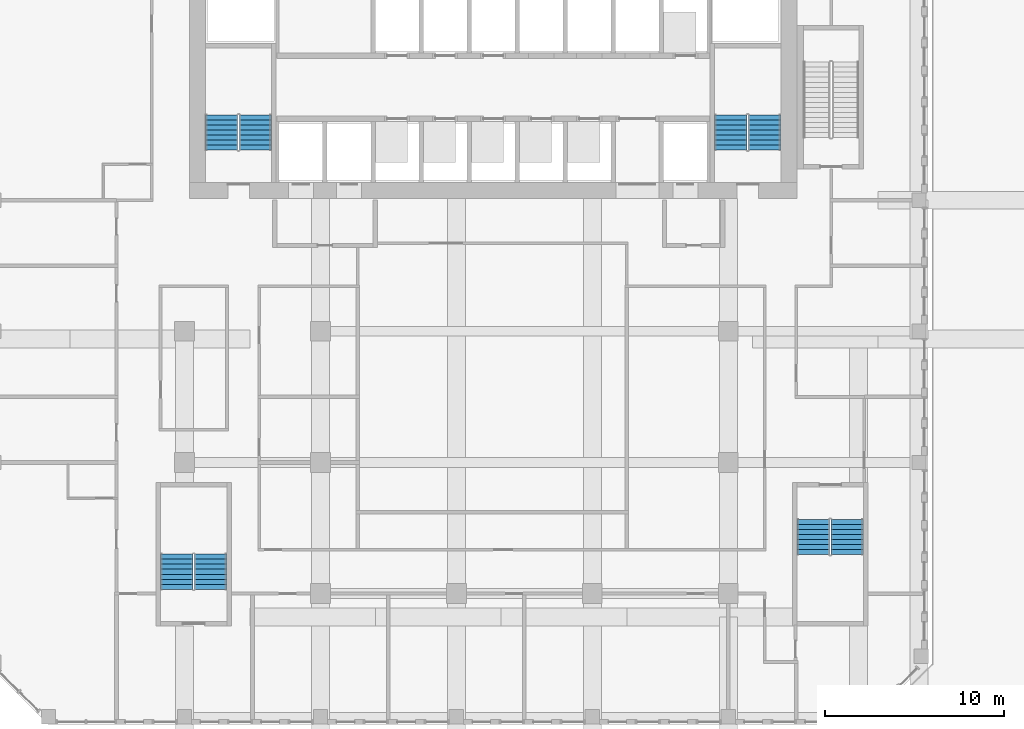
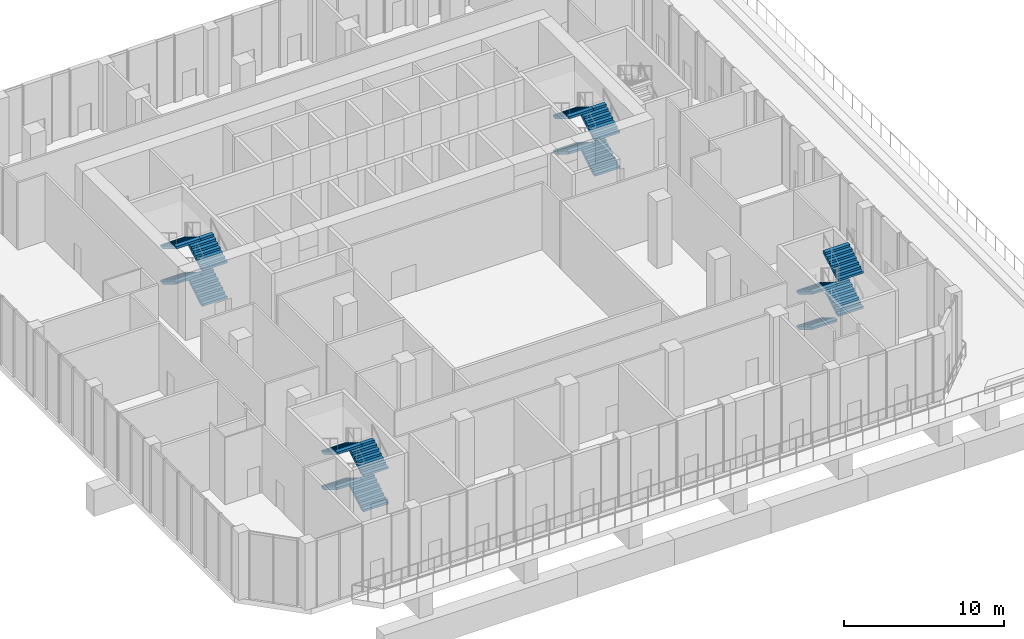
# One storey, part 16 of 19: 16 stair flights, 4 elements without a shape of their own.
"""IFC4 building model written with IfcOpenShell, lengths in metres."""

from ifc_helpers import new_model, si_unit, direction, frame, origin, place, context, subcontext, project, spatial, triangles, source, transform, mapped, material, type_object, element, aggregate, save


model = new_model("IFC4")

# Units and contexts
model_context = context("Model", 3, precision=1e-05, world=origin(), true_north=direction((0.0, 1.0)))
body_context = subcontext(model_context, "Body", "Model", "MODEL_VIEW")
ifc_project = project(units=[si_unit("LENGTHUNIT", "METRE"), si_unit("AREAUNIT", "SQUARE_METRE"), si_unit("VOLUMEUNIT", "CUBIC_METRE"), si_unit("PLANEANGLEUNIT", "RADIAN"), si_unit("MASSUNIT", "GRAM", prefix="KILO")], contexts=[model_context])

# Site, building, storey
site_placement = place(None, origin())
site = spatial("IfcSite", under=ifc_project, at=site_placement, CompositionType="ELEMENT")
building_placement = place(site_placement, origin())
building = spatial("IfcBuilding", under=site, at=building_placement, Name="Kilnfold Tower and Market Hall", CompositionType="ELEMENT")
storey_placement = place(building_placement, frame((0.0, 0.0, 138.5)))
storey = spatial("IfcBuildingStorey", under=building, at=storey_placement, Name="L31", CompositionType="ELEMENT", Elevation=138.5)

# Stair, stair flights
ifc_material_1 = material(Name="Concrete C40/50", Category="concrete")
stair_type = type_object("IfcStairType", Name="CORE STAIR 1800", PredefinedType="HALF_TURN_STAIR", material=ifc_material_1)
stair_1_placement = place(storey_placement, origin())
stair_1 = element("IfcStair", 1, at=stair_1_placement, inside=storey, type_object=stair_type, Name="L31 ST1", PredefinedType="HALF_TURN_STAIR")
ifc_material_2 = material(Name="Concrete C40/50", Category="concrete")
stair_flight_type = type_object("IfcStairFlightType", Name="CORE STAIR FLIGHT 1800", PredefinedType="STRAIGHT", material=ifc_material_2)
shared_shape = source(origin(), body_context, "Body", "Tessellation", [
    triangles([(0.0, 0.89990234375, 0.0), (0.0, 0.78759765625, 0.0), (0.0, 0.675048828125, 0.0), (0.0, 0.5625, 0.0), (0.0, 0.449951171875, 0.0), (0.0, 0.33740234375, 0.0), (0.0, 0.22509765625, 0.0), (0.0, 0.112548828125, 0.0), (0.0, 0.0, 0.0), (0.0, -0.112548828125, 0.0), (0.0, -0.22509765625, 0.0), (0.0, -0.33740234375, 0.0), (0.0, -0.449951171875, 0.0), (0.0, -0.5625, 0.0), (0.0, -0.675048828125, 0.0), (0.0, -0.78759765625, 0.0), (0.0, -0.89990234375, 0.0), (0.0, 0.89990234375, 0.168701171875), (0.0, 0.78759765625, 0.168701171875), (0.0, 0.675048828125, 0.168701171875), (0.0, 0.5625, 0.168701171875), (0.0, 0.449951171875, 0.168701171875), (0.0, 0.33740234375, 0.168701171875), (0.0, 0.22509765625, 0.168701171875), (0.0, 0.112548828125, 0.168701171875), (0.0, 0.0, 0.168701171875), (0.0, -0.112548828125, 0.168701171875), (0.0, -0.22509765625, 0.168701171875), (0.0, -0.33740234375, 0.168701171875), (0.0, -0.449951171875, 0.168701171875), (0.0, -0.5625, 0.168701171875), (0.0, -0.675048828125, 0.168701171875), (0.0, -0.78759765625, 0.168701171875), (0.0, -0.89990234375, 0.168701171875), (0.280029296875, 0.89990234375, 0.168701171875), (0.280029296875, 0.78759765625, 0.168701171875), (0.280029296875, 0.675048828125, 0.168701171875), (0.280029296875, 0.5625, 0.168701171875), (0.280029296875, 0.449951171875, 0.168701171875), (0.280029296875, 0.33740234375, 0.168701171875), (0.280029296875, 0.22509765625, 0.168701171875), (0.280029296875, 0.112548828125, 0.168701171875), (0.280029296875, 0.0, 0.168701171875), (0.280029296875, -0.112548828125, 0.168701171875), (0.280029296875, -0.22509765625, 0.168701171875), (0.280029296875, -0.33740234375, 0.168701171875), (0.280029296875, -0.449951171875, 0.168701171875), (0.280029296875, -0.5625, 0.168701171875), (0.280029296875, -0.675048828125, 0.168701171875), (0.280029296875, -0.78759765625, 0.168701171875), (0.280029296875, -0.89990234375, 0.168701171875), (0.280029296875, 0.89990234375, 0.33740234375), (0.280029296875, 0.78759765625, 0.33740234375), (0.280029296875, 0.675048828125, 0.33740234375), (0.280029296875, 0.5625, 0.33740234375), (0.280029296875, 0.449951171875, 0.33740234375), (0.280029296875, 0.33740234375, 0.33740234375), (0.280029296875, 0.22509765625, 0.33740234375), (0.280029296875, 0.112548828125, 0.33740234375), (0.280029296875, 0.0, 0.33740234375), (0.280029296875, -0.112548828125, 0.33740234375), (0.280029296875, -0.22509765625, 0.33740234375), (0.280029296875, -0.33740234375, 0.33740234375), (0.280029296875, -0.449951171875, 0.33740234375), (0.280029296875, -0.5625, 0.33740234375), (0.280029296875, -0.675048828125, 0.33740234375), (0.280029296875, -0.78759765625, 0.33740234375), (0.280029296875, -0.89990234375, 0.33740234375), (0.56005859375, 0.89990234375, 0.33740234375), (0.56005859375, 0.78759765625, 0.33740234375), (0.56005859375, 0.675048828125, 0.33740234375), (0.56005859375, 0.5625, 0.33740234375), (0.56005859375, 0.449951171875, 0.33740234375), (0.56005859375, 0.33740234375, 0.33740234375), (0.56005859375, 0.22509765625, 0.33740234375), (0.56005859375, 0.112548828125, 0.33740234375), (0.56005859375, 0.0, 0.33740234375), (0.56005859375, -0.112548828125, 0.33740234375), (0.56005859375, -0.22509765625, 0.33740234375), (0.56005859375, -0.33740234375, 0.33740234375), (0.56005859375, -0.449951171875, 0.33740234375), (0.56005859375, -0.5625, 0.33740234375), (0.56005859375, -0.675048828125, 0.33740234375), (0.56005859375, -0.78759765625, 0.33740234375), (0.56005859375, -0.89990234375, 0.33740234375), (0.56005859375, 0.89990234375, 0.50634765625), (0.56005859375, 0.78759765625, 0.50634765625), (0.56005859375, 0.675048828125, 0.50634765625), (0.56005859375, 0.5625, 0.50634765625), (0.56005859375, 0.449951171875, 0.50634765625), (0.56005859375, 0.33740234375, 0.50634765625), (0.56005859375, 0.22509765625, 0.50634765625), (0.56005859375, 0.112548828125, 0.50634765625), (0.56005859375, 0.0, 0.50634765625), (0.56005859375, -0.112548828125, 0.50634765625), (0.56005859375, -0.22509765625, 0.50634765625), (0.56005859375, -0.33740234375, 0.50634765625), (0.56005859375, -0.449951171875, 0.50634765625), (0.56005859375, -0.5625, 0.50634765625), (0.56005859375, -0.675048828125, 0.50634765625), (0.56005859375, -0.78759765625, 0.50634765625), (0.56005859375, -0.89990234375, 0.50634765625), (0.840087890625, 0.89990234375, 0.50634765625), (0.840087890625, 0.78759765625, 0.50634765625), (0.840087890625, 0.675048828125, 0.50634765625), (0.840087890625, 0.5625, 0.50634765625), (0.840087890625, 0.449951171875, 0.50634765625), (0.840087890625, 0.33740234375, 0.50634765625), (0.840087890625, 0.22509765625, 0.50634765625), (0.840087890625, 0.112548828125, 0.50634765625), (0.840087890625, 0.0, 0.50634765625), (0.840087890625, -0.112548828125, 0.50634765625), (0.840087890625, -0.22509765625, 0.50634765625), (0.840087890625, -0.33740234375, 0.50634765625), (0.840087890625, -0.449951171875, 0.50634765625), (0.840087890625, -0.5625, 0.50634765625), (0.840087890625, -0.675048828125, 0.50634765625), (0.840087890625, -0.78759765625, 0.50634765625), (0.840087890625, -0.89990234375, 0.50634765625), (0.840087890625, 0.89990234375, 0.675048828125), (0.840087890625, 0.78759765625, 0.675048828125), (0.840087890625, 0.675048828125, 0.675048828125), (0.840087890625, 0.5625, 0.675048828125), (0.840087890625, 0.449951171875, 0.675048828125), (0.840087890625, 0.33740234375, 0.675048828125), (0.840087890625, 0.22509765625, 0.675048828125), (0.840087890625, 0.112548828125, 0.675048828125), (0.840087890625, 0.0, 0.675048828125), (0.840087890625, -0.112548828125, 0.675048828125), (0.840087890625, -0.22509765625, 0.675048828125), (0.840087890625, -0.33740234375, 0.675048828125), (0.840087890625, -0.449951171875, 0.675048828125), (0.840087890625, -0.5625, 0.675048828125), (0.840087890625, -0.675048828125, 0.675048828125), (0.840087890625, -0.78759765625, 0.675048828125), (0.840087890625, -0.89990234375, 0.675048828125), (1.1201171875, 0.89990234375, 0.675048828125), (1.1201171875, 0.78759765625, 0.675048828125), (1.1201171875, 0.675048828125, 0.675048828125), (1.1201171875, 0.5625, 0.675048828125), (1.1201171875, 0.449951171875, 0.675048828125), (1.1201171875, 0.33740234375, 0.675048828125), (1.1201171875, 0.22509765625, 0.675048828125), (1.1201171875, 0.112548828125, 0.675048828125), (1.1201171875, 0.0, 0.675048828125), (1.1201171875, -0.112548828125, 0.675048828125), (1.1201171875, -0.22509765625, 0.675048828125), (1.1201171875, -0.33740234375, 0.675048828125), (1.1201171875, -0.449951171875, 0.675048828125), (1.1201171875, -0.5625, 0.675048828125), (1.1201171875, -0.675048828125, 0.675048828125), (1.1201171875, -0.78759765625, 0.675048828125), (1.1201171875, -0.89990234375, 0.675048828125), (1.1201171875, 0.89990234375, 0.84375), (1.1201171875, 0.78759765625, 0.84375), (1.1201171875, 0.675048828125, 0.84375), (1.1201171875, 0.5625, 0.84375), (1.1201171875, 0.449951171875, 0.84375), (1.1201171875, 0.33740234375, 0.84375), (1.1201171875, 0.22509765625, 0.84375), (1.1201171875, 0.112548828125, 0.84375), (1.1201171875, 0.0, 0.84375), (1.1201171875, -0.112548828125, 0.84375), (1.1201171875, -0.22509765625, 0.84375), (1.1201171875, -0.33740234375, 0.84375), (1.1201171875, -0.449951171875, 0.84375), (1.1201171875, -0.5625, 0.84375), (1.1201171875, -0.675048828125, 0.84375), (1.1201171875, -0.78759765625, 0.84375), (1.1201171875, -0.89990234375, 0.84375), (1.39990234375, 0.89990234375, 0.84375), (1.39990234375, 0.78759765625, 0.84375), (1.39990234375, 0.675048828125, 0.84375), (1.39990234375, 0.5625, 0.84375), (1.39990234375, 0.449951171875, 0.84375), (1.39990234375, 0.33740234375, 0.84375), (1.39990234375, 0.22509765625, 0.84375), (1.39990234375, 0.112548828125, 0.84375), (1.39990234375, 0.0, 0.84375), (1.39990234375, -0.112548828125, 0.84375), (1.39990234375, -0.22509765625, 0.84375), (1.39990234375, -0.33740234375, 0.84375), (1.39990234375, -0.449951171875, 0.84375), (1.39990234375, -0.5625, 0.84375), (1.39990234375, -0.675048828125, 0.84375), (1.39990234375, -0.78759765625, 0.84375), (1.39990234375, -0.89990234375, 0.84375), (1.39990234375, 0.89990234375, 1.012451171875), (1.39990234375, 0.78759765625, 1.012451171875), (1.39990234375, 0.675048828125, 1.012451171875), (1.39990234375, 0.5625, 1.012451171875), (1.39990234375, 0.449951171875, 1.012451171875), (1.39990234375, 0.33740234375, 1.012451171875), (1.39990234375, 0.22509765625, 1.012451171875), (1.39990234375, 0.112548828125, 1.012451171875), (1.39990234375, 0.0, 1.012451171875), (1.39990234375, -0.112548828125, 1.012451171875), (1.39990234375, -0.22509765625, 1.012451171875), (1.39990234375, -0.33740234375, 1.012451171875), (1.39990234375, -0.449951171875, 1.012451171875), (1.39990234375, -0.5625, 1.012451171875), (1.39990234375, -0.675048828125, 1.012451171875), (1.39990234375, -0.78759765625, 1.012451171875), (1.39990234375, -0.89990234375, 1.012451171875), (1.679931640625, 0.89990234375, 1.012451171875), (1.679931640625, 0.78759765625, 1.012451171875), (1.679931640625, 0.675048828125, 1.012451171875), (1.679931640625, 0.5625, 1.012451171875), (1.679931640625, 0.449951171875, 1.012451171875), (1.679931640625, 0.33740234375, 1.012451171875), (1.679931640625, 0.22509765625, 1.012451171875), (1.679931640625, 0.112548828125, 1.012451171875), (1.679931640625, 0.0, 1.012451171875), (1.679931640625, -0.112548828125, 1.012451171875), (1.679931640625, -0.22509765625, 1.012451171875), (1.679931640625, -0.33740234375, 1.012451171875), (1.679931640625, -0.449951171875, 1.012451171875), (1.679931640625, -0.5625, 1.012451171875), (1.679931640625, -0.675048828125, 1.012451171875), (1.679931640625, -0.78759765625, 1.012451171875), (1.679931640625, -0.89990234375, 1.012451171875), (1.679931640625, 0.89990234375, 1.18115234375), (1.679931640625, 0.78759765625, 1.18115234375), (1.679931640625, 0.675048828125, 1.18115234375), (1.679931640625, 0.5625, 1.18115234375), (1.679931640625, 0.449951171875, 1.18115234375), (1.679931640625, 0.33740234375, 1.18115234375), (1.679931640625, 0.22509765625, 1.18115234375), (1.679931640625, 0.112548828125, 1.18115234375), (1.679931640625, 0.0, 1.18115234375), (1.679931640625, -0.112548828125, 1.18115234375), (1.679931640625, -0.22509765625, 1.18115234375), (1.679931640625, -0.33740234375, 1.18115234375), (1.679931640625, -0.449951171875, 1.18115234375), (1.679931640625, -0.5625, 1.18115234375), (1.679931640625, -0.675048828125, 1.18115234375), (1.679931640625, -0.78759765625, 1.18115234375), (1.679931640625, -0.89990234375, 1.18115234375), (1.9599609375, 0.89990234375, 1.18115234375), (1.9599609375, 0.78759765625, 1.18115234375), (1.9599609375, 0.675048828125, 1.18115234375), (1.9599609375, 0.5625, 1.18115234375), (1.9599609375, 0.449951171875, 1.18115234375), (1.9599609375, 0.33740234375, 1.18115234375), (1.9599609375, 0.22509765625, 1.18115234375), (1.9599609375, 0.112548828125, 1.18115234375), (1.9599609375, 0.0, 1.18115234375), (1.9599609375, -0.112548828125, 1.18115234375), (1.9599609375, -0.22509765625, 1.18115234375), (1.9599609375, -0.33740234375, 1.18115234375), (1.9599609375, -0.449951171875, 1.18115234375), (1.9599609375, -0.5625, 1.18115234375), (1.9599609375, -0.675048828125, 1.18115234375), (1.9599609375, -0.78759765625, 1.18115234375), (1.9599609375, -0.89990234375, 1.18115234375), (1.9599609375, 0.89990234375, 1.00634765625), (1.9599609375, 0.78759765625, 1.00634765625), (1.9599609375, 0.675048828125, 1.00634765625), (1.9599609375, 0.5625, 1.00634765625), (1.9599609375, 0.449951171875, 1.00634765625), (1.9599609375, 0.33740234375, 1.00634765625), (1.9599609375, 0.22509765625, 1.00634765625), (1.9599609375, 0.112548828125, 1.00634765625), (1.9599609375, 0.0, 1.00634765625), (1.9599609375, -0.112548828125, 1.00634765625), (1.9599609375, -0.22509765625, 1.00634765625), (1.9599609375, -0.33740234375, 1.00634765625), (1.9599609375, -0.449951171875, 1.00634765625), (1.9599609375, -0.5625, 1.00634765625), (1.9599609375, -0.675048828125, 1.00634765625), (1.9599609375, -0.78759765625, 1.00634765625), (1.9599609375, -0.89990234375, 1.00634765625), (0.29052734375, 0.89990234375, 0.0), (0.29052734375, 0.78759765625, 0.0), (0.29052734375, 0.675048828125, 0.0), (0.29052734375, 0.5625, 0.0), (0.29052734375, 0.449951171875, 0.0), (0.29052734375, 0.33740234375, 0.0), (0.29052734375, 0.22509765625, 0.0), (0.29052734375, 0.112548828125, 0.0), (0.29052734375, 0.0, 0.0), (0.29052734375, -0.112548828125, 0.0), (0.29052734375, -0.22509765625, 0.0), (0.29052734375, -0.33740234375, 0.0), (0.29052734375, -0.449951171875, 0.0), (0.29052734375, -0.5625, 0.0), (0.29052734375, -0.675048828125, 0.0), (0.29052734375, -0.78759765625, 0.0), (0.29052734375, -0.89990234375, 0.0)], [[1, 256, 273], [17, 289, 272], [256, 222, 239], [272, 255, 238], [256, 205, 222], [272, 238, 221], [256, 188, 205], [272, 221, 204], [256, 171, 188], [272, 204, 187], [171, 137, 154], [187, 170, 153], [256, 137, 171], [272, 187, 153], [137, 103, 120], [153, 136, 119], [256, 103, 137], [272, 153, 119], [103, 69, 86], [119, 102, 85], [256, 69, 103], [272, 119, 85], [69, 35, 52], [85, 68, 51], [256, 35, 69], [272, 85, 51], [1, 35, 256], [17, 272, 51], [35, 1, 18], [51, 34, 17], [1, 19, 18], [1, 2, 19], [2, 20, 19], [2, 3, 20], [3, 21, 20], [3, 4, 21], [4, 22, 21], [4, 5, 22], [5, 23, 22], [5, 6, 23], [6, 24, 23], [6, 7, 24], [7, 25, 24], [7, 8, 25], [8, 26, 25], [8, 9, 26], [9, 27, 26], [9, 10, 27], [10, 28, 27], [10, 11, 28], [11, 29, 28], [11, 12, 29], [12, 30, 29], [12, 13, 30], [13, 31, 30], [13, 14, 31], [14, 32, 31], [14, 15, 32], [15, 33, 32], [15, 16, 33], [16, 34, 33], [16, 17, 34], [18, 36, 35], [18, 19, 36], [19, 37, 36], [19, 20, 37], [20, 38, 37], [20, 21, 38], [21, 39, 38], [21, 22, 39], [22, 40, 39], [22, 23, 40], [23, 41, 40], [23, 24, 41], [24, 42, 41], [24, 25, 42], [25, 43, 42], [25, 26, 43], [26, 44, 43], [26, 27, 44], [27, 45, 44], [27, 28, 45], [28, 46, 45], [28, 29, 46], [29, 47, 46], [29, 30, 47], [30, 48, 47], [30, 31, 48], [31, 49, 48], [31, 32, 49], [32, 50, 49], [32, 33, 50], [33, 51, 50], [33, 34, 51], [35, 53, 52], [35, 36, 53], [36, 54, 53], [36, 37, 54], [37, 55, 54], [37, 38, 55], [38, 56, 55], [38, 39, 56], [39, 57, 56], [39, 40, 57], [40, 58, 57], [40, 41, 58], [41, 59, 58], [41, 42, 59], [42, 60, 59], [42, 43, 60], [43, 61, 60], [43, 44, 61], [44, 62, 61], [44, 45, 62], [45, 63, 62], [45, 46, 63], [46, 64, 63], [46, 47, 64], [47, 65, 64], [47, 48, 65], [48, 66, 65], [48, 49, 66], [49, 67, 66], [49, 50, 67], [50, 68, 67], [50, 51, 68], [52, 70, 69], [52, 53, 70], [53, 71, 70], [53, 54, 71], [54, 72, 71], [54, 55, 72], [55, 73, 72], [55, 56, 73], [56, 74, 73], [56, 57, 74], [57, 75, 74], [57, 58, 75], [58, 76, 75], [58, 59, 76], [59, 77, 76], [59, 60, 77], [60, 78, 77], [60, 61, 78], [61, 79, 78], [61, 62, 79], [62, 80, 79], [62, 63, 80], [63, 81, 80], [63, 64, 81], [64, 82, 81], [64, 65, 82], [65, 83, 82], [65, 66, 83], [66, 84, 83], [66, 67, 84], [67, 85, 84], [67, 68, 85], [69, 87, 86], [69, 70, 87], [70, 88, 87], [70, 71, 88], [71, 89, 88], [71, 72, 89], [72, 90, 89], [72, 73, 90], [73, 91, 90], [73, 74, 91], [74, 92, 91], [74, 75, 92], [75, 93, 92], [75, 76, 93], [76, 94, 93], [76, 77, 94], [77, 95, 94], [77, 78, 95], [78, 96, 95], [78, 79, 96], [79, 97, 96], [79, 80, 97], [80, 98, 97], [80, 81, 98], [81, 99, 98], [81, 82, 99], [82, 100, 99], [82, 83, 100], [83, 101, 100], [83, 84, 101], [84, 102, 101], [84, 85, 102], [86, 104, 103], [86, 87, 104], [87, 105, 104], [87, 88, 105], [88, 106, 105], [88, 89, 106], [89, 107, 106], [89, 90, 107], [90, 108, 107], [90, 91, 108], [91, 109, 108], [91, 92, 109], [92, 110, 109], [92, 93, 110], [93, 111, 110], [93, 94, 111], [94, 112, 111], [94, 95, 112], [95, 113, 112], [95, 96, 113], [96, 114, 113], [96, 97, 114], [97, 115, 114], [97, 98, 115], [98, 116, 115], [98, 99, 116], [99, 117, 116], [99, 100, 117], [100, 118, 117], [100, 101, 118], [101, 119, 118], [101, 102, 119], [103, 121, 120], [103, 104, 121], [104, 122, 121], [104, 105, 122], [105, 123, 122], [105, 106, 123], [106, 124, 123], [106, 107, 124], [107, 125, 124], [107, 108, 125], [108, 126, 125], [108, 109, 126], [109, 127, 126], [109, 110, 127], [110, 128, 127], [110, 111, 128], [111, 129, 128], [111, 112, 129], [112, 130, 129], [112, 113, 130], [113, 131, 130], [113, 114, 131], [114, 132, 131], [114, 115, 132], [115, 133, 132], [115, 116, 133], [116, 134, 133], [116, 117, 134], [117, 135, 134], [117, 118, 135], [118, 136, 135], [118, 119, 136], [120, 138, 137], [120, 121, 138], [121, 139, 138], [121, 122, 139], [122, 140, 139], [122, 123, 140], [123, 141, 140], [123, 124, 141], [124, 142, 141], [124, 125, 142], [125, 143, 142], [125, 126, 143], [126, 144, 143], [126, 127, 144], [127, 145, 144], [127, 128, 145], [128, 146, 145], [128, 129, 146], [129, 147, 146], [129, 130, 147], [130, 148, 147], [130, 131, 148], [131, 149, 148], [131, 132, 149], [132, 150, 149], [132, 133, 150], [133, 151, 150], [133, 134, 151], [134, 152, 151], [134, 135, 152], [135, 153, 152], [135, 136, 153], [137, 155, 154], [137, 138, 155], [138, 156, 155], [138, 139, 156], [139, 157, 156], [139, 140, 157], [140, 158, 157], [140, 141, 158], [141, 159, 158], [141, 142, 159], [142, 160, 159], [142, 143, 160], [143, 161, 160], [143, 144, 161], [144, 162, 161], [144, 145, 162], [145, 163, 162], [145, 146, 163], [146, 164, 163], [146, 147, 164], [147, 165, 164], [147, 148, 165], [148, 166, 165], [148, 149, 166], [149, 167, 166], [149, 150, 167], [150, 168, 167], [150, 151, 168], [151, 169, 168], [151, 152, 169], [152, 170, 169], [152, 153, 170], [154, 172, 171], [154, 155, 172], [155, 173, 172], [155, 156, 173], [156, 174, 173], [156, 157, 174], [157, 175, 174], [157, 158, 175], [158, 176, 175], [158, 159, 176], [159, 177, 176], [159, 160, 177], [160, 178, 177], [160, 161, 178], [161, 179, 178], [161, 162, 179], [162, 180, 179], [162, 163, 180], [163, 181, 180], [163, 164, 181], [164, 182, 181], [164, 165, 182], [165, 183, 182], [165, 166, 183], [166, 184, 183], [166, 167, 184], [167, 185, 184], [167, 168, 185], [168, 186, 185], [168, 169, 186], [169, 187, 186], [169, 170, 187], [171, 189, 188], [171, 172, 189], [172, 190, 189], [172, 173, 190], [173, 191, 190], [173, 174, 191], [174, 192, 191], [174, 175, 192], [175, 193, 192], [175, 176, 193], [176, 194, 193], [176, 177, 194], [177, 195, 194], [177, 178, 195], [178, 196, 195], [178, 179, 196], [179, 197, 196], [179, 180, 197], [180, 198, 197], [180, 181, 198], [181, 199, 198], [181, 182, 199], [182, 200, 199], [182, 183, 200], [183, 201, 200], [183, 184, 201], [184, 202, 201], [184, 185, 202], [185, 203, 202], [185, 186, 203], [186, 204, 203], [186, 187, 204], [188, 206, 205], [188, 189, 206], [189, 207, 206], [189, 190, 207], [190, 208, 207], [190, 191, 208], [191, 209, 208], [191, 192, 209], [192, 210, 209], [192, 193, 210], [193, 211, 210], [193, 194, 211], [194, 212, 211], [194, 195, 212], [195, 213, 212], [195, 196, 213], [196, 214, 213], [196, 197, 214], [197, 215, 214], [197, 198, 215], [198, 216, 215], [198, 199, 216], [199, 217, 216], [199, 200, 217], [200, 218, 217], [200, 201, 218], [201, 219, 218], [201, 202, 219], [202, 220, 219], [202, 203, 220], [203, 221, 220], [203, 204, 221], [205, 223, 222], [205, 206, 223], [206, 224, 223], [206, 207, 224], [207, 225, 224], [207, 208, 225], [208, 226, 225], [208, 209, 226], [209, 227, 226], [209, 210, 227], [210, 228, 227], [210, 211, 228], [211, 229, 228], [211, 212, 229], [212, 230, 229], [212, 213, 230], [213, 231, 230], [213, 214, 231], [214, 232, 231], [214, 215, 232], [215, 233, 232], [215, 216, 233], [216, 234, 233], [216, 217, 234], [217, 235, 234], [217, 218, 235], [218, 236, 235], [218, 219, 236], [219, 237, 236], [219, 220, 237], [220, 238, 237], [220, 221, 238], [222, 240, 239], [222, 223, 240], [223, 241, 240], [223, 224, 241], [224, 242, 241], [224, 225, 242], [225, 243, 242], [225, 226, 243], [226, 244, 243], [226, 227, 244], [227, 245, 244], [227, 228, 245], [228, 246, 245], [228, 229, 246], [229, 247, 246], [229, 230, 247], [230, 248, 247], [230, 231, 248], [231, 249, 248], [231, 232, 249], [232, 250, 249], [232, 233, 250], [233, 251, 250], [233, 234, 251], [234, 252, 251], [234, 235, 252], [235, 253, 252], [235, 236, 253], [236, 254, 253], [236, 237, 254], [237, 255, 254], [237, 238, 255], [239, 257, 256], [239, 240, 257], [240, 258, 257], [240, 241, 258], [241, 259, 258], [241, 242, 259], [242, 260, 259], [242, 243, 260], [243, 261, 260], [243, 244, 261], [244, 262, 261], [244, 245, 262], [245, 263, 262], [245, 246, 263], [246, 264, 263], [246, 247, 264], [247, 265, 264], [247, 248, 265], [248, 266, 265], [248, 249, 266], [249, 267, 266], [249, 250, 267], [250, 268, 267], [250, 251, 268], [251, 269, 268], [251, 252, 269], [252, 270, 269], [252, 253, 270], [253, 271, 270], [253, 254, 271], [254, 272, 271], [254, 255, 272], [256, 274, 273], [256, 257, 274], [257, 275, 274], [257, 258, 275], [258, 276, 275], [258, 259, 276], [259, 277, 276], [259, 260, 277], [260, 278, 277], [260, 261, 278], [261, 279, 278], [261, 262, 279], [262, 280, 279], [262, 263, 280], [263, 281, 280], [263, 264, 281], [264, 282, 281], [264, 265, 282], [265, 283, 282], [265, 266, 283], [266, 284, 283], [266, 267, 284], [267, 285, 284], [267, 268, 285], [268, 286, 285], [268, 269, 286], [269, 287, 286], [269, 270, 287], [270, 288, 287], [270, 271, 288], [271, 289, 288], [271, 272, 289], [273, 2, 1], [273, 274, 2], [274, 3, 2], [274, 275, 3], [275, 4, 3], [275, 276, 4], [276, 5, 4], [276, 277, 5], [277, 6, 5], [277, 278, 6], [278, 7, 6], [278, 279, 7], [279, 8, 7], [279, 280, 8], [280, 9, 8], [280, 281, 9], [281, 10, 9], [281, 282, 10], [282, 11, 10], [282, 283, 11], [283, 12, 11], [283, 284, 12], [284, 13, 12], [284, 285, 13], [285, 14, 13], [285, 286, 14], [286, 15, 14], [286, 287, 15], [287, 16, 15], [287, 288, 16], [288, 17, 16], [288, 289, 17]], closed=True),
])
stair_flight_1_placement = place(storey_placement, frame((-12.199951171875, 10.800048828125, 0.0), z_axis=(0.0, 0.0, 1.0), x_axis=(0.0, 1.0, 0.0)))
stair_flight_1 = element("IfcStairFlight", 2, at=stair_flight_1_placement, type_object=stair_flight_type, Name="ST1 flight 1", NumberOfRisers=8, NumberOfTreads=7, PredefinedType="STRAIGHT", RiserHeight=0.16875, TreadLength=0.28, context=body_context, shape_type="MappedRepresentation", body=[
    mapped(shared_shape, transform((0.0, 0.0, 0.0))),
])
stair_flight_2_placement = place(storey_placement, frame((-14.10009765625, 12.760009765625, 1.35009765625), z_axis=(0.0, 0.0, 1.0), x_axis=(0.0, -1.0, 0.0)))
stair_flight_2 = element("IfcStairFlight", 3, at=stair_flight_2_placement, type_object=stair_flight_type, Name="ST1 flight 2", NumberOfRisers=8, NumberOfTreads=7, PredefinedType="STRAIGHT", RiserHeight=0.16875, TreadLength=0.28, context=body_context, shape_type="MappedRepresentation", body=[
    mapped(shared_shape, transform((0.0, 0.0, 0.0))),
])
stair_flight_3_placement = place(storey_placement, frame((-12.199951171875, 10.800048828125, 2.699951171875), z_axis=(0.0, 0.0, 1.0), x_axis=(0.0, 1.0, 0.0)))
stair_flight_3 = element("IfcStairFlight", 4, at=stair_flight_3_placement, type_object=stair_flight_type, Name="ST1 flight 3", NumberOfRisers=8, NumberOfTreads=7, PredefinedType="STRAIGHT", RiserHeight=0.16875, TreadLength=0.28, context=body_context, shape_type="MappedRepresentation", body=[
    mapped(shared_shape, transform((0.0, 0.0, 0.0))),
])
stair_flight_4_placement = place(storey_placement, frame((-14.10009765625, 12.760009765625, 4.050048828125), z_axis=(0.0, 0.0, 1.0), x_axis=(0.0, -1.0, 0.0)))
stair_flight_4 = element("IfcStairFlight", 5, at=stair_flight_4_placement, type_object=stair_flight_type, Name="ST1 flight 4", NumberOfRisers=8, NumberOfTreads=7, PredefinedType="STRAIGHT", RiserHeight=0.16875, TreadLength=0.28, context=body_context, shape_type="MappedRepresentation", body=[
    mapped(shared_shape, transform((0.0, 0.0, 0.0))),
])
aggregate(stair_1, [stair_flight_1, stair_flight_2, stair_flight_3, stair_flight_4])

stair_2_placement = place(storey_placement, origin())
stair_2 = element("IfcStair", 6, at=stair_2_placement, inside=storey, type_object=stair_type, Name="L31 ST2", PredefinedType="HALF_TURN_STAIR")
stair_flight_5_placement = place(storey_placement, frame((16.199951171875, 10.800048828125, 0.0), z_axis=(0.0, 0.0, 1.0), x_axis=(0.0, 1.0, 0.0)))
stair_flight_5 = element("IfcStairFlight", 7, at=stair_flight_5_placement, type_object=stair_flight_type, Name="ST2 flight 1", NumberOfRisers=8, NumberOfTreads=7, PredefinedType="STRAIGHT", RiserHeight=0.16875, TreadLength=0.28, context=body_context, shape_type="MappedRepresentation", body=[
    mapped(shared_shape, transform((0.0, 0.0, 0.0))),
])
stair_flight_6_placement = place(storey_placement, frame((14.300048828125, 12.760009765625, 1.35009765625), z_axis=(0.0, 0.0, 1.0), x_axis=(0.0, -1.0, 0.0)))
stair_flight_6 = element("IfcStairFlight", 8, at=stair_flight_6_placement, type_object=stair_flight_type, Name="ST2 flight 2", NumberOfRisers=8, NumberOfTreads=7, PredefinedType="STRAIGHT", RiserHeight=0.16875, TreadLength=0.28, context=body_context, shape_type="MappedRepresentation", body=[
    mapped(shared_shape, transform((0.0, 0.0, 0.0))),
])
stair_flight_7_placement = place(storey_placement, frame((16.199951171875, 10.800048828125, 2.699951171875), z_axis=(0.0, 0.0, 1.0), x_axis=(0.0, 1.0, 0.0)))
stair_flight_7 = element("IfcStairFlight", 9, at=stair_flight_7_placement, type_object=stair_flight_type, Name="ST2 flight 3", NumberOfRisers=8, NumberOfTreads=7, PredefinedType="STRAIGHT", RiserHeight=0.16875, TreadLength=0.28, context=body_context, shape_type="MappedRepresentation", body=[
    mapped(shared_shape, transform((0.0, 0.0, 0.0))),
])
stair_flight_8_placement = place(storey_placement, frame((14.300048828125, 12.760009765625, 4.050048828125), z_axis=(0.0, 0.0, 1.0), x_axis=(0.0, -1.0, 0.0)))
stair_flight_8 = element("IfcStairFlight", 10, at=stair_flight_8_placement, type_object=stair_flight_type, Name="ST2 flight 4", NumberOfRisers=8, NumberOfTreads=7, PredefinedType="STRAIGHT", RiserHeight=0.16875, TreadLength=0.28, context=body_context, shape_type="MappedRepresentation", body=[
    mapped(shared_shape, transform((0.0, 0.0, 0.0))),
])
aggregate(stair_2, [stair_flight_5, stair_flight_6, stair_flight_7, stair_flight_8])

stair_3_placement = place(storey_placement, origin())
stair_3 = element("IfcStair", 11, at=stair_3_placement, inside=storey, type_object=stair_type, Name="L31 ST3", PredefinedType="HALF_TURN_STAIR")
stair_flight_9_placement = place(storey_placement, frame((-14.699951171875, -13.699951171875, 0.0), z_axis=(0.0, 0.0, 1.0), x_axis=(0.0, 1.0, 0.0)))
stair_flight_9 = element("IfcStairFlight", 12, at=stair_flight_9_placement, type_object=stair_flight_type, Name="ST3 flight 1", NumberOfRisers=8, NumberOfTreads=7, PredefinedType="STRAIGHT", RiserHeight=0.16875, TreadLength=0.28, context=body_context, shape_type="MappedRepresentation", body=[
    mapped(shared_shape, transform((0.0, 0.0, 0.0))),
])
stair_flight_10_placement = place(storey_placement, frame((-16.60009765625, -11.739990234375, 1.35009765625), z_axis=(0.0, 0.0, 1.0), x_axis=(0.0, -1.0, 0.0)))
stair_flight_10 = element("IfcStairFlight", 13, at=stair_flight_10_placement, type_object=stair_flight_type, Name="ST3 flight 2", NumberOfRisers=8, NumberOfTreads=7, PredefinedType="STRAIGHT", RiserHeight=0.16875, TreadLength=0.28, context=body_context, shape_type="MappedRepresentation", body=[
    mapped(shared_shape, transform((0.0, 0.0, 0.0))),
])
stair_flight_11_placement = place(storey_placement, frame((-14.699951171875, -13.699951171875, 2.699951171875), z_axis=(0.0, 0.0, 1.0), x_axis=(0.0, 1.0, 0.0)))
stair_flight_11 = element("IfcStairFlight", 14, at=stair_flight_11_placement, type_object=stair_flight_type, Name="ST3 flight 3", NumberOfRisers=8, NumberOfTreads=7, PredefinedType="STRAIGHT", RiserHeight=0.16875, TreadLength=0.28, context=body_context, shape_type="MappedRepresentation", body=[
    mapped(shared_shape, transform((0.0, 0.0, 0.0))),
])
stair_flight_12_placement = place(storey_placement, frame((-16.60009765625, -11.739990234375, 4.050048828125), z_axis=(0.0, 0.0, 1.0), x_axis=(0.0, -1.0, 0.0)))
stair_flight_12 = element("IfcStairFlight", 15, at=stair_flight_12_placement, type_object=stair_flight_type, Name="ST3 flight 4", NumberOfRisers=8, NumberOfTreads=7, PredefinedType="STRAIGHT", RiserHeight=0.16875, TreadLength=0.28, context=body_context, shape_type="MappedRepresentation", body=[
    mapped(shared_shape, transform((0.0, 0.0, 0.0))),
])
aggregate(stair_3, [stair_flight_9, stair_flight_10, stair_flight_11, stair_flight_12])

stair_4_placement = place(storey_placement, origin())
stair_4 = element("IfcStair", 16, at=stair_4_placement, inside=storey, type_object=stair_type, Name="L31 ST4", PredefinedType="HALF_TURN_STAIR")
stair_flight_13_placement = place(storey_placement, frame((18.89990234375, -9.800048828125, 0.0), z_axis=(0.0, 0.0, 1.0), x_axis=(0.0, -1.0, 0.0)))
stair_flight_13 = element("IfcStairFlight", 17, at=stair_flight_13_placement, type_object=stair_flight_type, Name="ST4 flight 1", NumberOfRisers=8, NumberOfTreads=7, PredefinedType="STRAIGHT", RiserHeight=0.16875, TreadLength=0.28, context=body_context, shape_type="MappedRepresentation", body=[
    mapped(shared_shape, transform((0.0, 0.0, 0.0))),
])
stair_flight_14_placement = place(storey_placement, frame((20.800048828125, -11.760009765625, 1.35009765625), z_axis=(0.0, 0.0, 1.0), x_axis=(0.0, 1.0, 0.0)))
stair_flight_14 = element("IfcStairFlight", 18, at=stair_flight_14_placement, type_object=stair_flight_type, Name="ST4 flight 2", NumberOfRisers=8, NumberOfTreads=7, PredefinedType="STRAIGHT", RiserHeight=0.16875, TreadLength=0.28, context=body_context, shape_type="MappedRepresentation", body=[
    mapped(shared_shape, transform((0.0, 0.0, 0.0))),
])
stair_flight_15_placement = place(storey_placement, frame((18.89990234375, -9.800048828125, 2.699951171875), z_axis=(0.0, 0.0, 1.0), x_axis=(0.0, -1.0, 0.0)))
stair_flight_15 = element("IfcStairFlight", 19, at=stair_flight_15_placement, type_object=stair_flight_type, Name="ST4 flight 3", NumberOfRisers=8, NumberOfTreads=7, PredefinedType="STRAIGHT", RiserHeight=0.16875, TreadLength=0.28, context=body_context, shape_type="MappedRepresentation", body=[
    mapped(shared_shape, transform((0.0, 0.0, 0.0))),
])
stair_flight_16_placement = place(storey_placement, frame((20.800048828125, -11.760009765625, 4.050048828125), z_axis=(0.0, 0.0, 1.0), x_axis=(0.0, 1.0, 0.0)))
stair_flight_16 = element("IfcStairFlight", 20, at=stair_flight_16_placement, type_object=stair_flight_type, Name="ST4 flight 4", NumberOfRisers=8, NumberOfTreads=7, PredefinedType="STRAIGHT", RiserHeight=0.16875, TreadLength=0.28, context=body_context, shape_type="MappedRepresentation", body=[
    mapped(shared_shape, transform((0.0, 0.0, 0.0))),
])
aggregate(stair_4, [stair_flight_13, stair_flight_14, stair_flight_15, stair_flight_16])

save(model, "model.ifc")
